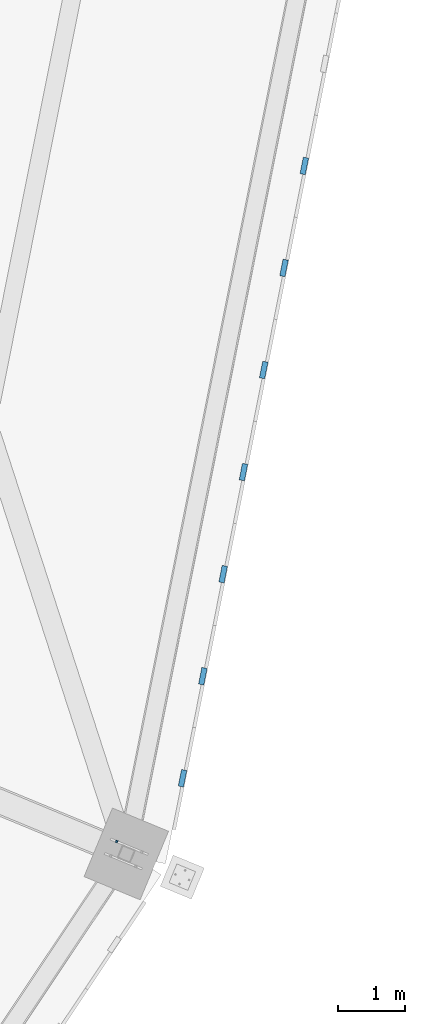
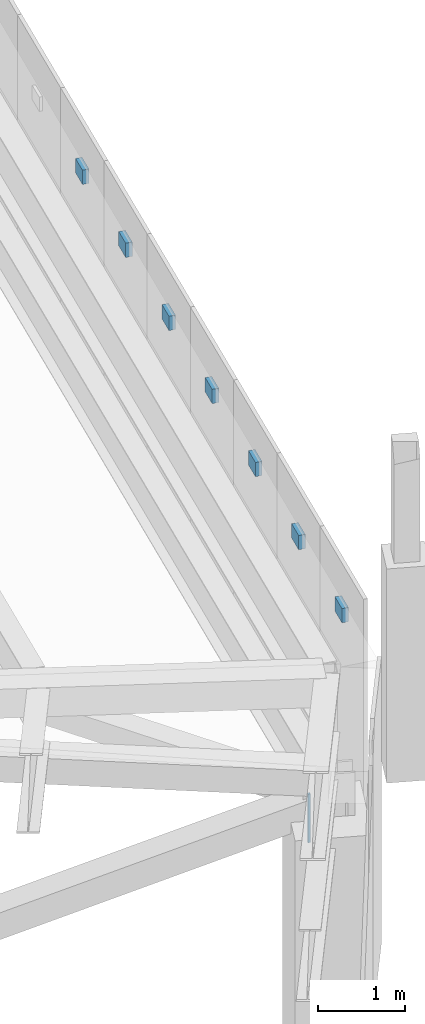
# One storey, part 184 of 278: 7 discrete accessories, 1 mechanical fastener.
"""IFC4 building model written with IfcOpenShell, lengths in metres."""

import ifcopenshell
import ifcopenshell.guid

model = None  # the IFC model being written
_history = None  # IfcOwnerHistory: only IFC2X3 demands one
_inside = {}  # id of a spatial element -> (the spatial element, [elements in it])
_under = {}  # id of a project, library or spatial element -> (it, [spatial elements below it])
_declared = {}  # id of a project -> (the project, [libraries it declares])
_typed = {}  # id of a type object -> (the type object, [elements of that type])
_made_of = {}  # id of a material, layer set ... -> (it, [elements and type objects made of it])


def new_model(schema):
    """Start an empty IFC model of exactly this schema.

    Asked for "IFC4X3", IfcOpenShell would pick the latest addendum, in which some entities
    have other attributes; the version numbers below select the first issue.
    IFC2X3 requires an IfcOwnerHistory on every rooted entity: one is made here for all.
    """
    global model, _history
    if schema == "IFC4X3":
        model = ifcopenshell.file(schema_version=(4, 3, 0, 0))
    else:
        model = ifcopenshell.file(schema=schema)
    _inside.clear()
    _under.clear()
    _declared.clear()
    _typed.clear()
    _made_of.clear()
    _history = None
    if model.schema == "IFC2X3":
        org = make("IfcOrganization", Name="unknown")
        user = make(
            "IfcPersonAndOrganization",
            ThePerson=make("IfcPerson", FamilyName="unknown"),
            TheOrganization=org,
        )
        app = make(
            "IfcApplication",
            ApplicationDeveloper=org,
            Version="unknown",
            ApplicationFullName="unknown",
            ApplicationIdentifier="unknown",
        )
        _history = make(
            "IfcOwnerHistory",
            OwningUser=user,
            OwningApplication=app,
            ChangeAction="ADDED",
            CreationDate=0,
        )
    return model


def make(cls, **values):
    """One entity of the class cls with the attributes given. An attribute that is None is left unset."""
    return model.create_entity(
        cls, **{name: value for name, value in values.items() if value is not None}
    )


def rooted(cls, **values):
    """An entity with a GlobalId (a new one), such as an element, a storey or a relation."""
    return make(cls, GlobalId=ifcopenshell.guid.new(), OwnerHistory=_history, **values)


def si_unit(unit_type, name, prefix=None):
    """IfcSIUnit, for example si_unit("LENGTHUNIT", "METRE", prefix="MILLI")."""
    return make("IfcSIUnit", UnitType=unit_type, Prefix=prefix, Name=name)


def assignment(units):
    """IfcUnitAssignment: the units of a project."""
    return None if units is None else make("IfcUnitAssignment", Units=units)


def point(xyz):
    """IfcCartesianPoint."""
    return None if xyz is None else make("IfcCartesianPoint", Coordinates=xyz)


def direction(xyz):
    """IfcDirection."""
    return None if xyz is None else make("IfcDirection", DirectionRatios=xyz)


def frame(location, z_axis=None, x_axis=None):
    """IfcAxis2Placement3D, a coordinate frame: its origin and axes. An axis left out is left unset."""
    return make(
        "IfcAxis2Placement3D",
        Location=point(location),
        Axis=direction(z_axis),
        RefDirection=direction(x_axis),
    )


def frame_2d(location, x_axis=None):
    """IfcAxis2Placement2D, a coordinate frame in the plane: its origin and x axis."""
    return make(
        "IfcAxis2Placement2D", Location=point(location), RefDirection=direction(x_axis)
    )


def origin():
    """The frame at (0, 0, 0) with its axes left unset."""
    return frame((0.0, 0.0, 0.0))


def origin_2d():
    """The frame at (0, 0) in the plane with its x axis left unset."""
    return frame_2d((0.0, 0.0))


def place(relative_to, where):
    """IfcLocalPlacement: puts the frame where relative to a parent placement (None: the world)."""
    return make(
        "IfcLocalPlacement", PlacementRelTo=relative_to, RelativePlacement=where
    )


def context(
    kind, dimensions, precision=None, world=None, true_north=None, identifier=None
):
    """IfcGeometricRepresentationContext, for example the 3D "Model" context."""
    return make(
        "IfcGeometricRepresentationContext",
        ContextIdentifier=identifier,
        ContextType=kind,
        CoordinateSpaceDimension=dimensions,
        Precision=precision,
        WorldCoordinateSystem=world,
        TrueNorth=true_north,
    )


def subcontext(parent, identifier, kind, view, scale=None):
    """IfcGeometricRepresentationSubContext, for example "Body" below "Model"."""
    return make(
        "IfcGeometricRepresentationSubContext",
        ContextIdentifier=identifier,
        ContextType=kind,
        ParentContext=parent,
        TargetScale=scale,
        TargetView=view,
    )


def project(units=None, contexts=None):
    """IfcProject with its units and contexts."""
    return rooted(
        "IfcProject",
        Name="project",
        RepresentationContexts=contexts,
        UnitsInContext=assignment(units),
    )


def spatial(cls, under=None, at=None, **own):
    """A site, building, storey or space (cls), placed at a placement, below another one or the project."""
    s = rooted(cls, ObjectPlacement=at, **own)
    if under is not None:
        _under.setdefault(under.id(), (under, []))[1].append(s)
    return s


def profile(cls, at=None, kind="AREA", **sizes):
    """A parametric profile (cls). Its sizes go by their IFC names, for example OverallWidth=200.0."""
    return make(cls, ProfileType=kind, Position=at, **sizes)


def rectangle(**sizes):
    """IfcRectangleProfileDef."""
    return profile("IfcRectangleProfileDef", **sizes)


def extrude(swept, where, along, depth):
    """IfcExtrudedAreaSolid: the profile swept, set in the frame where, extruded along a direction by depth."""
    return make(
        "IfcExtrudedAreaSolid",
        SweptArea=swept,
        Position=where,
        ExtrudedDirection=direction(along),
        Depth=depth,
    )


def shape(context_of_items, identifier, shape_type, items):
    """IfcShapeRepresentation: the items that make up one representation, for example the "Body"."""
    return make(
        "IfcShapeRepresentation",
        ContextOfItems=context_of_items,
        RepresentationIdentifier=identifier,
        RepresentationType=shape_type,
        Items=items,
    )


def material(Name=None, Category=None):
    """IfcMaterial."""
    return make("IfcMaterial", Name=Name, Category=Category)


def layer(
    of_material, thickness, ventilated=None, Name=None, Category=None, Priority=None
):
    """IfcMaterialLayer: one layer of a wall or slab, of a material (None: an air gap)."""
    return make(
        "IfcMaterialLayer",
        Material=of_material,
        LayerThickness=thickness,
        IsVentilated=ventilated,
        Name=Name,
        Category=Category,
        Priority=Priority,
    )


def layer_set(layers, Name=None):
    """IfcMaterialLayerSet."""
    return make("IfcMaterialLayerSet", MaterialLayers=layers, LayerSetName=Name)


def made_of(thing, what):
    """Note that an element or type object is made of a material, layer set ...; save() writes the relation."""
    if what is not None:
        _made_of.setdefault(what.id(), (what, []))[1].append(thing)
    return thing


def type_object(cls, material=None, **own):
    """A type object (cls), such as IfcWallType, which elements share."""
    return made_of(rooted(cls, **own), material)


def element(
    cls,
    number,
    at=None,
    inside=None,
    cuts=None,
    type_object=None,
    material=None,
    context=None,
    identifier="Body",
    shape_type=None,
    held_by="IfcProductDefinitionShape",
    body=None,
    shapes=None,
    **own,
):
    """One element of the class cls, such as IfcWall. Its Tag is "e" and its number.

    at: its placement. inside: the storey or other place that contains it. cuts: it is an
    opening in that element (IfcRelVoidsElement). A single representation is given by context,
    identifier, shape_type and body (its items); several are given by shapes. held_by: the class
    of the entity that holds the representations. save() writes the other relations.
    """
    e = rooted(cls, Tag="e%d" % number, ObjectPlacement=at, **own)
    if body is not None:
        shapes = [shape(context, identifier, shape_type, body)]
    if shapes is not None:
        e.Representation = make(held_by, Representations=shapes)
    if inside is not None:
        _inside.setdefault(inside.id(), (inside, []))[1].append(e)
    if cuts is not None:
        rooted(
            "IfcRelVoidsElement", RelatingBuildingElement=cuts, RelatedOpeningElement=e
        )
    if type_object is not None:
        _typed.setdefault(type_object.id(), (type_object, []))[1].append(e)
    return made_of(e, material)


def aggregate(whole, parts):
    """IfcRelAggregates: a whole, such as a stair, and the parts it consists of."""
    return rooted("IfcRelAggregates", RelatingObject=whole, RelatedObjects=parts)


def save(model, path):
    """Write the relations noted so far, then the file.

    IfcRelAggregates (storeys below a building ...), IfcRelContainedInSpatialStructure (elements
    in a storey), IfcRelDefinesByType, IfcRelAssociatesMaterial and IfcRelDeclares: one each for
    every whole, place, type object, material and project.
    """
    for whole, parts in _under.values():
        aggregate(whole, parts)
    for where, things in _inside.values():
        rooted(
            "IfcRelContainedInSpatialStructure",
            RelatedElements=things,
            RelatingStructure=where,
        )
    for kind, things in _typed.values():
        rooted("IfcRelDefinesByType", RelatedObjects=things, RelatingType=kind)
    for what, things in _made_of.values():
        rooted("IfcRelAssociatesMaterial", RelatedObjects=things, RelatingMaterial=what)
    for by, libraries in _declared.values():
        rooted("IfcRelDeclares", RelatingContext=by, RelatedDefinitions=libraries)
    model.write(path)


model = new_model("IFC4")

# Units and contexts
model_context = context("Model", 3, precision=1e-05, world=origin(), true_north=direction((0.0, 1.0)))
body_context = subcontext(model_context, "Body", "Model", "MODEL_VIEW")
ifc_project = project(units=[si_unit("LENGTHUNIT", "METRE"), si_unit("AREAUNIT", "SQUARE_METRE"), si_unit("VOLUMEUNIT", "CUBIC_METRE"), si_unit("PLANEANGLEUNIT", "RADIAN"), si_unit("MASSUNIT", "GRAM", prefix="KILO")], contexts=[model_context])

# Site, building, storey
site_placement = place(None, origin())
site = spatial("IfcSite", under=ifc_project, at=site_placement, CompositionType="ELEMENT")
building_placement = place(site_placement, origin())
building = spatial("IfcBuilding", under=site, at=building_placement, Name="Ogive Plaza Stadium", CompositionType="ELEMENT")
storey_placement = place(building_placement, frame((0.0, 0.0, 29.0)))
storey = spatial("IfcBuildingStorey", under=building, at=storey_placement, Name="Roof", CompositionType="ELEMENT", Elevation=29.0)

# Mechanical fastener
ifc_material_1 = material(Name="Steel ASTM A992 Grade 50", Category="steel")
mechanical_fastener_type = type_object("IfcMechanicalFastenerType", Name="Anchor bolt M30 x 600", PredefinedType="ANCHORBOLT", material=ifc_material_1)
mechanical_fastener_placement = place(storey_placement, frame((80.052001953125, -71.4501953125, 3.0), z_axis=(0.0, 0.0, 1.0), x_axis=(0.923879532511, -0.382683432365, 0.0)))
element("IfcMechanicalFastener", 1, at=mechanical_fastener_placement, inside=storey, type_object=mechanical_fastener_type, Name="ANCHOR BOLT 09 BF 1.2", PredefinedType="ANCHORBOLT", context=body_context, shape_type="SweptSolid", body=[
    extrude(rectangle(XDim=0.030029296875, YDim=0.030029296875, at=origin_2d()), origin(), (0.0, 0.0, 1.0), 0.679931640625),
])

# Discrete accessories
ifc_material_2 = material(Name="Steel ASTM A572 Grade 50", Category="steel")
ifc_layer = layer(ifc_material_2, 0.080078125)
ifc_layer_set = layer_set([ifc_layer], Name="Steel ASTM A572 Grade 50")
discrete_accessory_type = type_object("IfcDiscreteAccessoryType", Name="Tracery screen bracket 250x200", PredefinedType="BRACKET", material=ifc_layer_set)
for number, where, z_axis, x_axis, name in (
    (2, (82.83544921875, -61.427001953125, 5.25), (0.0, 0.0, 1.0), (-0.195090322016, -0.980785280403, 0.0), "TRACERY SCREEN BRACKET B08 6"),
    (3, (82.534423828125, -62.94091796875, 5.25), (0.0, 0.0, 1.0), (-0.195090322016, -0.980785280403, 0.0), "TRACERY SCREEN BRACKET B08 7"),
    (4, (82.233154296875, -64.455078125, 5.25), (0.0, 0.0, 1.0), (-0.195090322016, -0.980785280403, 0.0), "TRACERY SCREEN BRACKET B08 8"),
    (5, (81.93212890625, -65.968994140625, 5.25), (0.0, 0.0, 1.0), (-0.195090322016, -0.980785280403, 0.0), "TRACERY SCREEN BRACKET B08 9"),
    (6, (81.630859375, -67.483154296875, 5.25), (0.0, 0.0, 1.0), (-0.195090322016, -0.980785280403, 0.0), "TRACERY SCREEN BRACKET B08 10"),
    (7, (81.32958984375, -68.9970703125, 5.25), (0.0, 0.0, 1.0), (-0.195090322016, -0.980785280403, 0.0), "TRACERY SCREEN BRACKET B08 11"),
    (8, (81.028564453125, -70.510986328125, 5.25), (0.0, 0.0, 1.0), (-0.195090322016, -0.980785280403, 0.0), "TRACERY SCREEN BRACKET B08 12"),
):
    element("IfcDiscreteAccessory", number, at=place(storey_placement, frame(where, z_axis=z_axis, x_axis=x_axis)), inside=storey, type_object=discrete_accessory_type, Name=name, PredefinedType="BRACKET", context=body_context, shape_type="SweptSolid", body=[
        extrude(rectangle(XDim=0.25, YDim=0.080078125, at=origin_2d()), origin(), (0.0, 0.0, 1.0), 0.199951171875),
    ])

save(model, "model.ifc")
